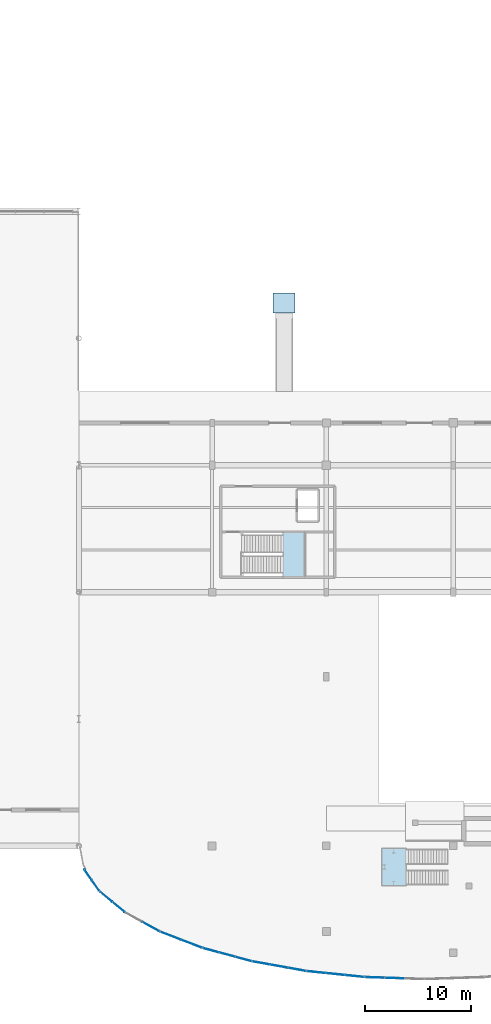
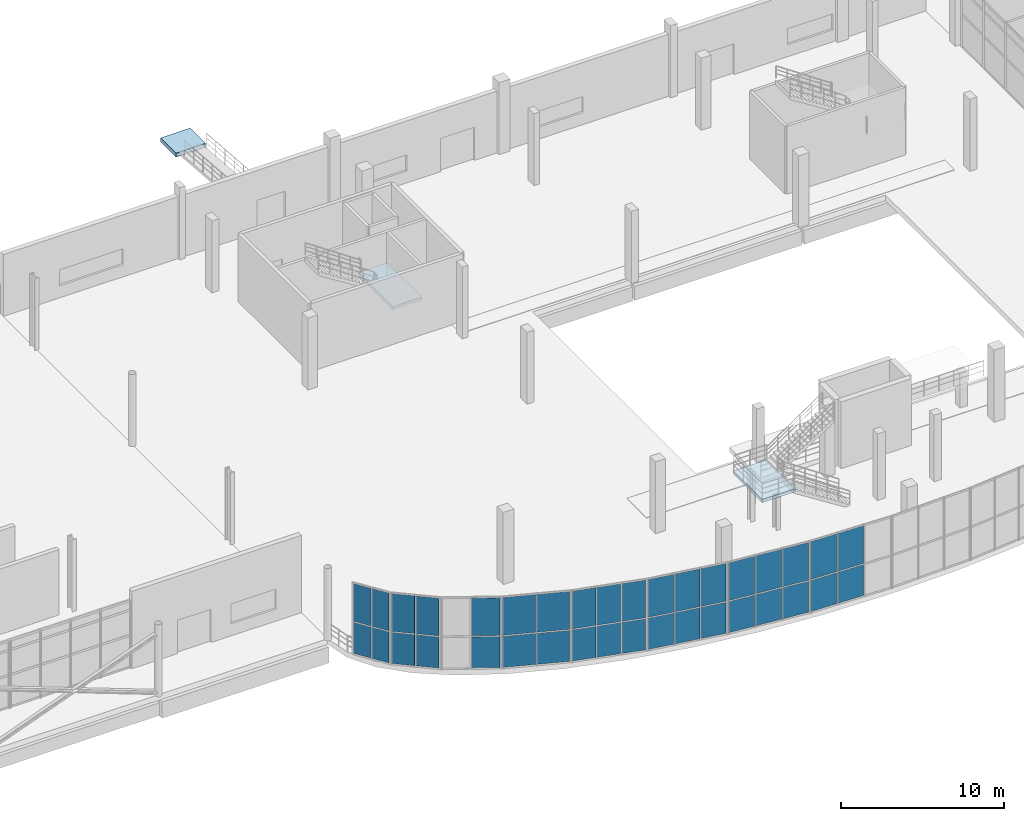
# One storey, part 48 of 85: 36 plates, 3 slabs, 10 elements without a shape of their own.
"""IFC4 building model written with IfcOpenShell, lengths in metres."""

from ifc_helpers import new_model, si_unit, direction, frame, origin, origin_2d, place, context, subcontext, project, spatial, polyline, rectangle, outline, extrude, material, layer, layer_set, type_object, element, aggregate, save


model = new_model("IFC4")

# Units and contexts
model_context = context("Model", 3, precision=1e-05, world=origin(), true_north=direction((0.0, 1.0)))
body_context = subcontext(model_context, "Body", "Model", "MODEL_VIEW")
ifc_project = project(units=[si_unit("LENGTHUNIT", "METRE"), si_unit("AREAUNIT", "SQUARE_METRE"), si_unit("VOLUMEUNIT", "CUBIC_METRE"), si_unit("PLANEANGLEUNIT", "RADIAN"), si_unit("MASSUNIT", "GRAM", prefix="KILO"), si_unit("THERMODYNAMICTEMPERATUREUNIT", "KELVIN"), si_unit("POWERUNIT", "WATT")], contexts=[model_context])

# Site, building, storey
site_placement = place(None, origin())
site = spatial("IfcSite", under=ifc_project, at=site_placement, CompositionType="ELEMENT")
building_placement = place(site_placement, origin())
building = spatial("IfcBuilding", under=site, at=building_placement, Name="Solmara Park Aquatics Centre", CompositionType="ELEMENT")
storey_placement = place(building_placement, origin())
storey = spatial("IfcBuildingStorey", under=building, at=storey_placement, Name="L00", CompositionType="ELEMENT", Elevation=0.0)

# Curtain wall, plates
ifc_material_1 = material(Name="Anodised Aluminium Curtain Wall Framing", Category="aluminium")
curtain_wall_type = type_object("IfcCurtainWallType", Name="ARC-CW-SYS02", PredefinedType="USERDEFINED", material=ifc_material_1)
curtain_wall_1_placement = place(storey_placement, origin())
curtain_wall_1 = element("IfcCurtainWall", 1, at=curtain_wall_1_placement, inside=storey, type_object=curtain_wall_type, Name="Curtain Wall CW-027", ObjectType="CURTAIN WALL", PredefinedType="USERDEFINED")
ifc_material_2 = material(Name="Double Low-E Solar-Control Glazing", Category="glass")
ifc_layer_1 = layer(ifc_material_2, 0.031982421875, Name="Double Low-E Solar-Control Glazing")
ifc_layer_set_1 = layer_set([ifc_layer_1], Name="Double Low-E Solar-Control Glazing")
plate_type_1 = type_object("IfcPlateType", Name="ARC-CWP-GLZ32-1180x2320", PredefinedType="CURTAIN_PANEL", material=ifc_layer_set_1)
plate_1_placement = place(storey_placement, frame((97.4658203125, 9.881591796875, 0.080078125), z_axis=(0.0, 0.0, 1.0), x_axis=(0.570927091568, -0.821000764989, 0.0)))
plate_1 = element("IfcPlate", 2, at=plate_1_placement, type_object=plate_type_1, Name="CW-027 panel 1", PredefinedType="CURTAIN_PANEL", context=body_context, shape_type="SweptSolid", body=[
    extrude(rectangle(XDim=1.172119140625, YDim=0.031982421875, at=origin_2d()), origin(), (0.0, 0.0, 1.0), 2.330078125),
])
plate_2_placement = place(storey_placement, frame((98.180419921875, 8.853759765625, 0.080078125), z_axis=(0.0, 0.0, 1.0), x_axis=(0.570927091568, -0.821000764989, 0.0)))
plate_2 = element("IfcPlate", 3, at=plate_2_placement, type_object=plate_type_1, Name="CW-027 panel 3", PredefinedType="CURTAIN_PANEL", context=body_context, shape_type="SweptSolid", body=[
    extrude(rectangle(XDim=1.172119140625, YDim=0.031982421875, at=origin_2d()), origin(), (0.0, 0.0, 1.0), 2.330078125),
])
ifc_layer_2 = layer(ifc_material_2, 0.031982421875, Name="Double Low-E Solar-Control Glazing")
ifc_layer_set_2 = layer_set([ifc_layer_2], Name="Double Low-E Solar-Control Glazing")
plate_type_2 = type_object("IfcPlateType", Name="ARC-CWP-GLZ32-1180x2840", PredefinedType="CURTAIN_PANEL", material=ifc_layer_set_2)
plate_3_placement = place(storey_placement, frame((97.4658203125, 9.881591796875, 2.489990234375), z_axis=(0.0, 0.0, 1.0), x_axis=(0.570927091568, -0.821000764989, 0.0)))
plate_3 = element("IfcPlate", 4, at=plate_3_placement, type_object=plate_type_2, Name="CW-027 panel 2", PredefinedType="CURTAIN_PANEL", context=body_context, shape_type="SweptSolid", body=[
    extrude(rectangle(XDim=1.172119140625, YDim=0.031982421875, at=origin_2d()), origin(), (0.0, 0.0, 1.0), 2.830078125),
])
plate_4_placement = place(storey_placement, frame((98.180419921875, 8.853759765625, 2.489990234375), z_axis=(0.0, 0.0, 1.0), x_axis=(0.570927091568, -0.821000764989, 0.0)))
plate_4 = element("IfcPlate", 5, at=plate_4_placement, type_object=plate_type_2, Name="CW-027 panel 4", PredefinedType="CURTAIN_PANEL", context=body_context, shape_type="SweptSolid", body=[
    extrude(rectangle(XDim=1.172119140625, YDim=0.031982421875, at=origin_2d()), origin(), (0.0, 0.0, 1.0), 2.830078125),
])
aggregate(curtain_wall_1, [plate_1, plate_3, plate_2, plate_4])

curtain_wall_2_placement = place(storey_placement, origin())
curtain_wall_2 = element("IfcCurtainWall", 6, at=curtain_wall_2_placement, inside=storey, type_object=curtain_wall_type, Name="Curtain Wall CW-029", ObjectType="CURTAIN WALL", PredefinedType="USERDEFINED")
ifc_layer_3 = layer(ifc_material_2, 0.031982421875, Name="Double Low-E Solar-Control Glazing")
ifc_layer_set_3 = layer_set([ifc_layer_3], Name="Double Low-E Solar-Control Glazing")
plate_type_3 = type_object("IfcPlateType", Name="ARC-CWP-GLZ32-1440x2320", PredefinedType="CURTAIN_PANEL", material=ifc_layer_set_3)
plate_5_placement = place(storey_placement, frame((99.17431640625, 7.79296875, 0.080078125), z_axis=(0.0, 0.0, 1.0), x_axis=(0.770876909587, -0.636984136589, 0.0)))
plate_5 = element("IfcPlate", 7, at=plate_5_placement, type_object=plate_type_3, Name="CW-029 panel 1", PredefinedType="CURTAIN_PANEL", context=body_context, shape_type="SweptSolid", body=[
    extrude(rectangle(XDim=1.4423828125, YDim=0.031982421875, at=origin_2d()), origin(), (0.0, 0.0, 1.0), 2.330078125),
])
plate_6_placement = place(storey_placement, frame((100.347900390625, 6.822998046875, 0.080078125), z_axis=(0.0, 0.0, 1.0), x_axis=(0.770876909587, -0.636984136589, 0.0)))
plate_6 = element("IfcPlate", 8, at=plate_6_placement, type_object=plate_type_3, Name="CW-029 panel 3", PredefinedType="CURTAIN_PANEL", context=body_context, shape_type="SweptSolid", body=[
    extrude(rectangle(XDim=1.4423828125, YDim=0.031982421875, at=origin_2d()), origin(), (0.0, 0.0, 1.0), 2.330078125),
])
ifc_layer_4 = layer(ifc_material_2, 0.031982421875, Name="Double Low-E Solar-Control Glazing")
ifc_layer_set_4 = layer_set([ifc_layer_4], Name="Double Low-E Solar-Control Glazing")
plate_type_4 = type_object("IfcPlateType", Name="ARC-CWP-GLZ32-1440x2840", PredefinedType="CURTAIN_PANEL", material=ifc_layer_set_4)
plate_7_placement = place(storey_placement, frame((99.17431640625, 7.79296875, 2.489990234375), z_axis=(0.0, 0.0, 1.0), x_axis=(0.770876909587, -0.636984136589, 0.0)))
plate_7 = element("IfcPlate", 9, at=plate_7_placement, type_object=plate_type_4, Name="CW-029 panel 2", PredefinedType="CURTAIN_PANEL", context=body_context, shape_type="SweptSolid", body=[
    extrude(rectangle(XDim=1.4423828125, YDim=0.031982421875, at=origin_2d()), origin(), (0.0, 0.0, 1.0), 2.830078125),
])
plate_8_placement = place(storey_placement, frame((100.347900390625, 6.822998046875, 2.489990234375), z_axis=(0.0, 0.0, 1.0), x_axis=(0.770876909587, -0.636984136589, 0.0)))
plate_8 = element("IfcPlate", 10, at=plate_8_placement, type_object=plate_type_4, Name="CW-029 panel 4", PredefinedType="CURTAIN_PANEL", context=body_context, shape_type="SweptSolid", body=[
    extrude(rectangle(XDim=1.4423828125, YDim=0.031982421875, at=origin_2d()), origin(), (0.0, 0.0, 1.0), 2.830078125),
])
aggregate(curtain_wall_2, [plate_5, plate_7, plate_6, plate_8])

curtain_wall_3_placement = place(storey_placement, origin())
curtain_wall_3 = element("IfcCurtainWall", 11, at=curtain_wall_3_placement, inside=storey, type_object=curtain_wall_type, Name="Curtain Wall CW-035", ObjectType="CURTAIN WALL", PredefinedType="USERDEFINED")
ifc_layer_5 = layer(ifc_material_2, 0.031982421875, Name="Double Low-E Solar-Control Glazing")
ifc_layer_set_5 = layer_set([ifc_layer_5], Name="Double Low-E Solar-Control Glazing")
plate_type_5 = type_object("IfcPlateType", Name="ARC-CWP-GLZ32-1500x2320", PredefinedType="CURTAIN_PANEL", material=ifc_layer_set_5)
plate_9_placement = place(storey_placement, frame((109.0654296875, 2.736083984375, 0.080078125), z_axis=(0.0, 0.0, 1.0), x_axis=(0.965480359779, -0.260475862378, 0.0)))
plate_9 = element("IfcPlate", 12, at=plate_9_placement, type_object=plate_type_5, Name="CW-035 panel 1", PredefinedType="CURTAIN_PANEL", context=body_context, shape_type="SweptSolid", body=[
    extrude(rectangle(XDim=1.50537109375, YDim=0.031982421875, at=origin_2d()), origin(), (0.0, 0.0, 1.0), 2.330078125),
])
plate_10_placement = place(storey_placement, frame((110.59619140625, 2.3232421875, 0.080078125), z_axis=(0.0, 0.0, 1.0), x_axis=(0.965480359779, -0.260475862378, 0.0)))
plate_10 = element("IfcPlate", 13, at=plate_10_placement, type_object=plate_type_5, Name="CW-035 panel 3", PredefinedType="CURTAIN_PANEL", context=body_context, shape_type="SweptSolid", body=[
    extrude(rectangle(XDim=1.50537109375, YDim=0.031982421875, at=origin_2d()), origin(), (0.0, 0.0, 1.0), 2.330078125),
])
plate_11_placement = place(storey_placement, frame((112.126708984375, 1.91015625, 0.080078125), z_axis=(0.0, 0.0, 1.0), x_axis=(0.965480359779, -0.260475862378, 0.0)))
plate_11 = element("IfcPlate", 14, at=plate_11_placement, type_object=plate_type_5, Name="CW-035 panel 5", PredefinedType="CURTAIN_PANEL", context=body_context, shape_type="SweptSolid", body=[
    extrude(rectangle(XDim=1.505615234375, YDim=0.031982421875, at=origin_2d()), origin(), (0.0, 0.0, 1.0), 2.330078125),
])
ifc_layer_6 = layer(ifc_material_2, 0.031982421875, Name="Double Low-E Solar-Control Glazing")
ifc_layer_set_6 = layer_set([ifc_layer_6], Name="Double Low-E Solar-Control Glazing")
plate_type_6 = type_object("IfcPlateType", Name="ARC-CWP-GLZ32-1500x2840", PredefinedType="CURTAIN_PANEL", material=ifc_layer_set_6)
plate_12_placement = place(storey_placement, frame((109.0654296875, 2.736083984375, 2.489990234375), z_axis=(0.0, 0.0, 1.0), x_axis=(0.965480359779, -0.260475862378, 0.0)))
plate_12 = element("IfcPlate", 15, at=plate_12_placement, type_object=plate_type_6, Name="CW-035 panel 2", PredefinedType="CURTAIN_PANEL", context=body_context, shape_type="SweptSolid", body=[
    extrude(rectangle(XDim=1.50537109375, YDim=0.031982421875, at=origin_2d()), origin(), (0.0, 0.0, 1.0), 2.830078125),
])
plate_13_placement = place(storey_placement, frame((110.59619140625, 2.3232421875, 2.489990234375), z_axis=(0.0, 0.0, 1.0), x_axis=(0.965480359779, -0.260475862378, 0.0)))
plate_13 = element("IfcPlate", 16, at=plate_13_placement, type_object=plate_type_6, Name="CW-035 panel 4", PredefinedType="CURTAIN_PANEL", context=body_context, shape_type="SweptSolid", body=[
    extrude(rectangle(XDim=1.50537109375, YDim=0.031982421875, at=origin_2d()), origin(), (0.0, 0.0, 1.0), 2.830078125),
])
plate_14_placement = place(storey_placement, frame((112.126708984375, 1.91015625, 2.489990234375), z_axis=(0.0, 0.0, 1.0), x_axis=(0.965480359779, -0.260475862378, 0.0)))
plate_14 = element("IfcPlate", 17, at=plate_14_placement, type_object=plate_type_6, Name="CW-035 panel 6", PredefinedType="CURTAIN_PANEL", context=body_context, shape_type="SweptSolid", body=[
    extrude(rectangle(XDim=1.505615234375, YDim=0.031982421875, at=origin_2d()), origin(), (0.0, 0.0, 1.0), 2.830078125),
])
aggregate(curtain_wall_3, [plate_9, plate_12, plate_10, plate_13, plate_11, plate_14])

curtain_wall_4_placement = place(storey_placement, origin())
curtain_wall_4 = element("IfcCurtainWall", 18, at=curtain_wall_4_placement, inside=storey, type_object=curtain_wall_type, Name="Curtain Wall CW-037", ObjectType="CURTAIN WALL", PredefinedType="USERDEFINED")
ifc_layer_7 = layer(ifc_material_2, 0.031982421875, Name="Double Low-E Solar-Control Glazing")
ifc_layer_set_7 = layer_set([ifc_layer_7], Name="Double Low-E Solar-Control Glazing")
plate_type_7 = type_object("IfcPlateType", Name="ARC-CWP-GLZ32-1640x2320", PredefinedType="CURTAIN_PANEL", material=ifc_layer_set_7)
plate_15_placement = place(storey_placement, frame((113.817626953125, 1.5322265625, 0.080078125), z_axis=(0.0, 0.0, 1.0), x_axis=(0.9842385399, -0.176845968502, 0.0)))
plate_15 = element("IfcPlate", 19, at=plate_15_placement, type_object=plate_type_7, Name="CW-037 panel 1", PredefinedType="CURTAIN_PANEL", context=body_context, shape_type="SweptSolid", body=[
    extrude(rectangle(XDim=1.642822265625, YDim=0.031982421875, at=origin_2d()), origin(), (0.0, 0.0, 1.0), 2.330078125),
])
plate_16_placement = place(storey_placement, frame((115.51318359375, 1.2275390625, 0.080078125), z_axis=(0.0, 0.0, 1.0), x_axis=(0.9842385399, -0.176845968502, 0.0)))
plate_16 = element("IfcPlate", 20, at=plate_16_placement, type_object=plate_type_7, Name="CW-037 panel 3", PredefinedType="CURTAIN_PANEL", context=body_context, shape_type="SweptSolid", body=[
    extrude(rectangle(XDim=1.642822265625, YDim=0.031982421875, at=origin_2d()), origin(), (0.0, 0.0, 1.0), 2.330078125),
])
plate_17_placement = place(storey_placement, frame((117.208984375, 0.9228515625, 0.080078125), z_axis=(0.0, 0.0, 1.0), x_axis=(0.9842385399, -0.176845968502, 0.0)))
plate_17 = element("IfcPlate", 21, at=plate_17_placement, type_object=plate_type_7, Name="CW-037 panel 5", PredefinedType="CURTAIN_PANEL", context=body_context, shape_type="SweptSolid", body=[
    extrude(rectangle(XDim=1.642822265625, YDim=0.031982421875, at=origin_2d()), origin(), (0.0, 0.0, 1.0), 2.330078125),
])
ifc_layer_8 = layer(ifc_material_2, 0.031982421875, Name="Double Low-E Solar-Control Glazing")
ifc_layer_set_8 = layer_set([ifc_layer_8], Name="Double Low-E Solar-Control Glazing")
plate_type_8 = type_object("IfcPlateType", Name="ARC-CWP-GLZ32-1640x2840", PredefinedType="CURTAIN_PANEL", material=ifc_layer_set_8)
plate_18_placement = place(storey_placement, frame((113.817626953125, 1.5322265625, 2.489990234375), z_axis=(0.0, 0.0, 1.0), x_axis=(0.9842385399, -0.176845968502, 0.0)))
plate_18 = element("IfcPlate", 22, at=plate_18_placement, type_object=plate_type_8, Name="CW-037 panel 2", PredefinedType="CURTAIN_PANEL", context=body_context, shape_type="SweptSolid", body=[
    extrude(rectangle(XDim=1.642822265625, YDim=0.031982421875, at=origin_2d()), origin(), (0.0, 0.0, 1.0), 2.830078125),
])
plate_19_placement = place(storey_placement, frame((115.51318359375, 1.2275390625, 2.489990234375), z_axis=(0.0, 0.0, 1.0), x_axis=(0.9842385399, -0.176845968502, 0.0)))
plate_19 = element("IfcPlate", 23, at=plate_19_placement, type_object=plate_type_8, Name="CW-037 panel 4", PredefinedType="CURTAIN_PANEL", context=body_context, shape_type="SweptSolid", body=[
    extrude(rectangle(XDim=1.642822265625, YDim=0.031982421875, at=origin_2d()), origin(), (0.0, 0.0, 1.0), 2.830078125),
])
plate_20_placement = place(storey_placement, frame((117.208984375, 0.9228515625, 2.489990234375), z_axis=(0.0, 0.0, 1.0), x_axis=(0.9842385399, -0.176845968502, 0.0)))
plate_20 = element("IfcPlate", 24, at=plate_20_placement, type_object=plate_type_8, Name="CW-037 panel 6", PredefinedType="CURTAIN_PANEL", context=body_context, shape_type="SweptSolid", body=[
    extrude(rectangle(XDim=1.642822265625, YDim=0.031982421875, at=origin_2d()), origin(), (0.0, 0.0, 1.0), 2.830078125),
])
aggregate(curtain_wall_4, [plate_15, plate_18, plate_16, plate_19, plate_17, plate_20])

# Curtain wall, plate
curtain_wall_5_placement = place(storey_placement, origin())
curtain_wall_5 = element("IfcCurtainWall", 25, at=curtain_wall_5_placement, inside=storey, type_object=curtain_wall_type, Name="Curtain Wall CW-031", ObjectType="CURTAIN WALL", PredefinedType="USERDEFINED")
ifc_layer_9 = layer(ifc_material_2, 0.031982421875, Name="Double Low-E Solar-Control Glazing")
ifc_layer_set_9 = layer_set([ifc_layer_9], Name="Double Low-E Solar-Control Glazing")
plate_type_9 = type_object("IfcPlateType", Name="ARC-CWP-GLZ32-1740x2320", PredefinedType="CURTAIN_PANEL", material=ifc_layer_set_9)
plate_21_placement = place(storey_placement, frame((103.39794921875, 4.969970703125, 0.080078125), z_axis=(0.0, 0.0, 1.0), x_axis=(0.876104806664, -0.482120698311, 0.0)))
plate_21 = element("IfcPlate", 26, at=plate_21_placement, type_object=plate_type_9, Name="CW-031 panel 3", PredefinedType="CURTAIN_PANEL", context=body_context, shape_type="SweptSolid", body=[
    extrude(rectangle(XDim=1.745849609375, YDim=0.031982421875, at=origin_2d()), origin(), (0.0, 0.0, 1.0), 2.330078125),
])

# Curtain wall, plates
curtain_wall_6_placement = place(storey_placement, origin())
curtain_wall_6 = element("IfcCurtainWall", 27, at=curtain_wall_6_placement, inside=storey, type_object=curtain_wall_type, Name="Curtain Wall CW-040", ObjectType="CURTAIN WALL", PredefinedType="USERDEFINED")
plate_22_placement = place(storey_placement, frame((119.040283203125, 0.664306640625, 0.080078125), z_axis=(0.0, 0.0, 1.0), x_axis=(0.994711425154, -0.102709204398, 0.0)))
plate_22 = element("IfcPlate", 28, at=plate_22_placement, type_object=plate_type_9, Name="CW-040 panel 1", PredefinedType="CURTAIN_PANEL", context=body_context, shape_type="SweptSolid", body=[
    extrude(rectangle(XDim=1.73828125, YDim=0.031982421875, at=origin_2d()), origin(), (0.0, 0.0, 1.0), 2.330078125),
])
plate_23_placement = place(storey_placement, frame((120.848876953125, 0.477783203125, 0.080078125), z_axis=(0.0, 0.0, 1.0), x_axis=(0.994711425154, -0.102709204398, 0.0)))
plate_23 = element("IfcPlate", 29, at=plate_23_placement, type_object=plate_type_9, Name="CW-040 panel 3", PredefinedType="CURTAIN_PANEL", context=body_context, shape_type="SweptSolid", body=[
    extrude(rectangle(XDim=1.73828125, YDim=0.031982421875, at=origin_2d()), origin(), (0.0, 0.0, 1.0), 2.330078125),
])
plate_24_placement = place(storey_placement, frame((122.65771484375, 0.291015625, 0.080078125), z_axis=(0.0, 0.0, 1.0), x_axis=(0.994711425154, -0.102709204398, 0.0)))
plate_24 = element("IfcPlate", 30, at=plate_24_placement, type_object=plate_type_9, Name="CW-040 panel 5", PredefinedType="CURTAIN_PANEL", context=body_context, shape_type="SweptSolid", body=[
    extrude(rectangle(XDim=1.73828125, YDim=0.031982421875, at=origin_2d()), origin(), (0.0, 0.0, 1.0), 2.330078125),
])

# Plate
ifc_layer_10 = layer(ifc_material_2, 0.031982421875, Name="Double Low-E Solar-Control Glazing")
ifc_layer_set_10 = layer_set([ifc_layer_10], Name="Double Low-E Solar-Control Glazing")
plate_type_10 = type_object("IfcPlateType", Name="ARC-CWP-GLZ32-1740x2840", PredefinedType="CURTAIN_PANEL", material=ifc_layer_set_10)
plate_25_placement = place(storey_placement, frame((103.39794921875, 4.969970703125, 2.489990234375), z_axis=(0.0, 0.0, 1.0), x_axis=(0.876104806664, -0.482120698311, 0.0)))
plate_25 = element("IfcPlate", 31, at=plate_25_placement, type_object=plate_type_10, Name="CW-031 panel 4", PredefinedType="CURTAIN_PANEL", context=body_context, shape_type="SweptSolid", body=[
    extrude(rectangle(XDim=1.745849609375, YDim=0.031982421875, at=origin_2d()), origin(), (0.0, 0.0, 1.0), 2.830078125),
])

aggregate(curtain_wall_5, [plate_21, plate_25])

plate_26_placement = place(storey_placement, frame((119.040283203125, 0.664306640625, 2.489990234375), z_axis=(0.0, 0.0, 1.0), x_axis=(0.994711425154, -0.102709204398, 0.0)))
plate_26 = element("IfcPlate", 32, at=plate_26_placement, type_object=plate_type_10, Name="CW-040 panel 2", PredefinedType="CURTAIN_PANEL", context=body_context, shape_type="SweptSolid", body=[
    extrude(rectangle(XDim=1.73828125, YDim=0.031982421875, at=origin_2d()), origin(), (0.0, 0.0, 1.0), 2.830078125),
])

plate_27_placement = place(storey_placement, frame((120.848876953125, 0.477783203125, 2.489990234375), z_axis=(0.0, 0.0, 1.0), x_axis=(0.994711425154, -0.102709204398, 0.0)))
plate_27 = element("IfcPlate", 33, at=plate_27_placement, type_object=plate_type_10, Name="CW-040 panel 4", PredefinedType="CURTAIN_PANEL", context=body_context, shape_type="SweptSolid", body=[
    extrude(rectangle(XDim=1.73828125, YDim=0.031982421875, at=origin_2d()), origin(), (0.0, 0.0, 1.0), 2.830078125),
])

plate_28_placement = place(storey_placement, frame((122.65771484375, 0.291015625, 2.489990234375), z_axis=(0.0, 0.0, 1.0), x_axis=(0.994711425154, -0.102709204398, 0.0)))
plate_28 = element("IfcPlate", 34, at=plate_28_placement, type_object=plate_type_10, Name="CW-040 panel 6", PredefinedType="CURTAIN_PANEL", context=body_context, shape_type="SweptSolid", body=[
    extrude(rectangle(XDim=1.73828125, YDim=0.031982421875, at=origin_2d()), origin(), (0.0, 0.0, 1.0), 2.830078125),
])

aggregate(curtain_wall_6, [plate_22, plate_26, plate_23, plate_27, plate_24, plate_28])

# Curtain wall, plates
curtain_wall_7_placement = place(storey_placement, origin())
curtain_wall_7 = element("IfcCurtainWall", 35, at=curtain_wall_7_placement, inside=storey, type_object=curtain_wall_type, Name="Curtain Wall CW-043", ObjectType="CURTAIN WALL", PredefinedType="USERDEFINED")
ifc_layer_11 = layer(ifc_material_2, 0.031982421875, Name="Double Low-E Solar-Control Glazing")
ifc_layer_set_11 = layer_set([ifc_layer_11], Name="Double Low-E Solar-Control Glazing")
plate_type_11 = type_object("IfcPlateType", Name="ARC-CWP-GLZ32-1780x2320", PredefinedType="CURTAIN_PANEL", material=ifc_layer_set_11)
plate_29_placement = place(storey_placement, frame((124.57470703125, 0.1591796875, 0.080078125), z_axis=(0.0, 0.0, 1.0), x_axis=(0.999432366194, -0.033688950762, 0.0)))
plate_29 = element("IfcPlate", 36, at=plate_29_placement, type_object=plate_type_11, Name="CW-043 panel 1", PredefinedType="CURTAIN_PANEL", context=body_context, shape_type="SweptSolid", body=[
    extrude(rectangle(XDim=1.787109375, YDim=0.031982421875, at=origin_2d()), origin(), (0.0, 0.0, 1.0), 2.330078125),
])
plate_30_placement = place(storey_placement, frame((126.44091796875, 0.096435546875, 0.080078125), z_axis=(0.0, 0.0, 1.0), x_axis=(0.999432366194, -0.033688950762, 0.0)))
plate_30 = element("IfcPlate", 37, at=plate_30_placement, type_object=plate_type_11, Name="CW-043 panel 3", PredefinedType="CURTAIN_PANEL", context=body_context, shape_type="SweptSolid", body=[
    extrude(rectangle(XDim=1.787109375, YDim=0.031982421875, at=origin_2d()), origin(), (0.0, 0.0, 1.0), 2.330078125),
])
ifc_layer_12 = layer(ifc_material_2, 0.031982421875, Name="Double Low-E Solar-Control Glazing")
ifc_layer_set_12 = layer_set([ifc_layer_12], Name="Double Low-E Solar-Control Glazing")
plate_type_12 = type_object("IfcPlateType", Name="ARC-CWP-GLZ32-1780x2840", PredefinedType="CURTAIN_PANEL", material=ifc_layer_set_12)
plate_31_placement = place(storey_placement, frame((124.57470703125, 0.1591796875, 2.489990234375), z_axis=(0.0, 0.0, 1.0), x_axis=(0.999432366194, -0.033688950762, 0.0)))
plate_31 = element("IfcPlate", 38, at=plate_31_placement, type_object=plate_type_12, Name="CW-043 panel 2", PredefinedType="CURTAIN_PANEL", context=body_context, shape_type="SweptSolid", body=[
    extrude(rectangle(XDim=1.787109375, YDim=0.031982421875, at=origin_2d()), origin(), (0.0, 0.0, 1.0), 2.830078125),
])
plate_32_placement = place(storey_placement, frame((126.44091796875, 0.096435546875, 2.489990234375), z_axis=(0.0, 0.0, 1.0), x_axis=(0.999432366194, -0.033688950762, 0.0)))
plate_32 = element("IfcPlate", 39, at=plate_32_placement, type_object=plate_type_12, Name="CW-043 panel 4", PredefinedType="CURTAIN_PANEL", context=body_context, shape_type="SweptSolid", body=[
    extrude(rectangle(XDim=1.787109375, YDim=0.031982421875, at=origin_2d()), origin(), (0.0, 0.0, 1.0), 2.830078125),
])
aggregate(curtain_wall_7, [plate_29, plate_31, plate_30, plate_32])

curtain_wall_8_placement = place(storey_placement, origin())
curtain_wall_8 = element("IfcCurtainWall", 40, at=curtain_wall_8_placement, inside=storey, type_object=curtain_wall_type, Name="Curtain Wall CW-033", ObjectType="CURTAIN WALL", PredefinedType="USERDEFINED")
ifc_layer_13 = layer(ifc_material_2, 0.031982421875, Name="Double Low-E Solar-Control Glazing")
ifc_layer_set_13 = layer_set([ifc_layer_13], Name="Double Low-E Solar-Control Glazing")
plate_type_13 = type_object("IfcPlateType", Name="ARC-CWP-GLZ32-2040x2320", PredefinedType="CURTAIN_PANEL", material=ifc_layer_set_13)
plate_33_placement = place(storey_placement, frame((105.2578125, 4.112548828125, 0.080078125), z_axis=(0.0, 0.0, 1.0), x_axis=(0.933119937966, -0.35956526719, 0.0)))
plate_33 = element("IfcPlate", 41, at=plate_33_placement, type_object=plate_type_13, Name="CW-033 panel 1", PredefinedType="CURTAIN_PANEL", context=body_context, shape_type="SweptSolid", body=[
    extrude(rectangle(XDim=2.039794921875, YDim=0.031982421875, at=origin_2d()), origin(), (0.0, 0.0, 1.0), 2.330078125),
])
plate_34_placement = place(storey_placement, frame((107.23583984375, 3.3505859375, 0.080078125), z_axis=(0.0, 0.0, 1.0), x_axis=(0.933119937966, -0.35956526719, 0.0)))
plate_34 = element("IfcPlate", 42, at=plate_34_placement, type_object=plate_type_13, Name="CW-033 panel 3", PredefinedType="CURTAIN_PANEL", context=body_context, shape_type="SweptSolid", body=[
    extrude(rectangle(XDim=2.039794921875, YDim=0.031982421875, at=origin_2d()), origin(), (0.0, 0.0, 1.0), 2.330078125),
])
ifc_layer_14 = layer(ifc_material_2, 0.031982421875, Name="Double Low-E Solar-Control Glazing")
ifc_layer_set_14 = layer_set([ifc_layer_14], Name="Double Low-E Solar-Control Glazing")
plate_type_14 = type_object("IfcPlateType", Name="ARC-CWP-GLZ32-2040x2840", PredefinedType="CURTAIN_PANEL", material=ifc_layer_set_14)
plate_35_placement = place(storey_placement, frame((105.2578125, 4.112548828125, 2.489990234375), z_axis=(0.0, 0.0, 1.0), x_axis=(0.933119937966, -0.35956526719, 0.0)))
plate_35 = element("IfcPlate", 43, at=plate_35_placement, type_object=plate_type_14, Name="CW-033 panel 2", PredefinedType="CURTAIN_PANEL", context=body_context, shape_type="SweptSolid", body=[
    extrude(rectangle(XDim=2.039794921875, YDim=0.031982421875, at=origin_2d()), origin(), (0.0, 0.0, 1.0), 2.830078125),
])
plate_36_placement = place(storey_placement, frame((107.23583984375, 3.3505859375, 2.489990234375), z_axis=(0.0, 0.0, 1.0), x_axis=(0.933119937966, -0.35956526719, 0.0)))
plate_36 = element("IfcPlate", 44, at=plate_36_placement, type_object=plate_type_14, Name="CW-033 panel 4", PredefinedType="CURTAIN_PANEL", context=body_context, shape_type="SweptSolid", body=[
    extrude(rectangle(XDim=2.039794921875, YDim=0.031982421875, at=origin_2d()), origin(), (0.0, 0.0, 1.0), 2.830078125),
])
aggregate(curtain_wall_8, [plate_33, plate_35, plate_34, plate_36])

# Stair, slab
ifc_material_3 = material(Name="Concrete C40/50", Category="concrete")
stair_type_1 = type_object("IfcStairType", Name="ARC-ST-CORE", PredefinedType="HALF_TURN_STAIR", material=ifc_material_3)
stair_1_placement = place(storey_placement, origin())
stair_1 = element("IfcStair", 45, at=stair_1_placement, inside=storey, type_object=stair_type_1, Name="ST-03 Protected Exit Stair (L00 to L01)", PredefinedType="HALF_TURN_STAIR")
ifc_layer_15 = layer(ifc_material_3, 0.219970703125, Name="Concrete C40/50")
ifc_layer_set_15 = layer_set([ifc_layer_15], Name="Concrete C40/50")
slab_type_1 = type_object("IfcSlabType", Name="ARC-SLB-LND220", PredefinedType="LANDING", material=ifc_layer_set_15)
slab_1_placement = place(storey_placement, frame((0.0, 0.0, 2.47998046875)))
slab_1 = element("IfcSlab", 46, at=slab_1_placement, type_object=slab_type_1, Name="ST-03 landing 1", PredefinedType="LANDING", context=body_context, shape_type="SweptSolid", body=[
    extrude(outline(polyline([(115.885009765625, 38.030029296875), (117.97998046875, 38.030029296875), (117.97998046875, 42.27001953125), (115.885009765625, 42.27001953125), (115.885009765625, 38.030029296875)])), origin(), (0.0, 0.0, 1.0), 0.219970703125),
])
aggregate(stair_1, [slab_1])

stair_type_2 = type_object("IfcStairType", Name="ARC-ST-DIV", PredefinedType="HALF_TURN_STAIR", material=ifc_material_3)
stair_2_placement = place(storey_placement, origin())
stair_2 = element("IfcStair", 47, at=stair_2_placement, inside=storey, type_object=stair_type_2, Name="Diving Tower Platform Stair DT-01", PredefinedType="HALF_TURN_STAIR")
ifc_layer_16 = layer(ifc_material_3, 0.239990234375, Name="Concrete C40/50")
ifc_layer_set_16 = layer_set([ifc_layer_16], Name="Concrete C40/50")
slab_type_2 = type_object("IfcSlabType", Name="ARC-SLB-LND240", PredefinedType="LANDING", material=ifc_layer_set_16)
slab_2_placement = place(storey_placement, frame((0.0, 0.0, 2.4599609375)))
slab_2 = element("IfcSlab", 48, at=slab_2_placement, type_object=slab_type_2, Name="DT-01 landing 1", PredefinedType="LANDING", context=body_context, shape_type="SweptSolid", body=[
    extrude(outline(polyline([(125.219970703125, 8.820068359375), (127.56494140625, 8.820068359375), (127.56494140625, 12.3798828125), (125.219970703125, 12.3798828125), (125.219970703125, 8.820068359375)])), origin(), (0.0, 0.0, 1.0), 0.239990234375),
])
aggregate(stair_2, [slab_2])

# Slab
ifc_layer_17 = layer(ifc_material_3, 0.300048828125, Name="Concrete C40/50")
ifc_layer_set_17 = layer_set([ifc_layer_17], Name="Concrete C40/50")
slab_type_3 = type_object("IfcSlabType", Name="STR-SLB-CON300", PredefinedType="FLOOR", material=ifc_layer_set_17)
slab_3_placement = place(storey_placement, frame((0.0, 0.0, -0.89990234375)))
element("IfcSlab", 49, at=slab_3_placement, inside=storey, type_object=slab_type_3, Name="Garden Court Diving Threshold Accessible Ramp Threshold Landing", PredefinedType="FLOOR", context=body_context, shape_type="SweptSolid", body=[
    extrude(outline(polyline([(114.949951171875, 63.0), (117.050048828125, 63.0), (117.050048828125, 64.89990234375), (114.949951171875, 64.89990234375), (114.949951171875, 63.0)])), origin(), (0.0, 0.0, 1.0), 0.2998046875),
])

save(model, "model.ifc")
